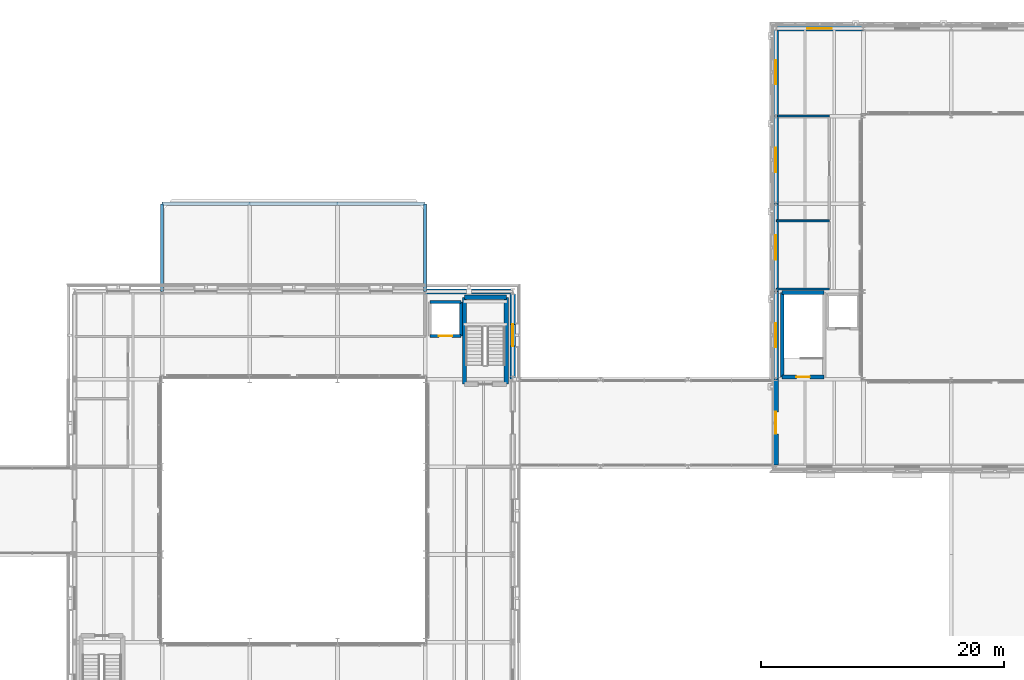
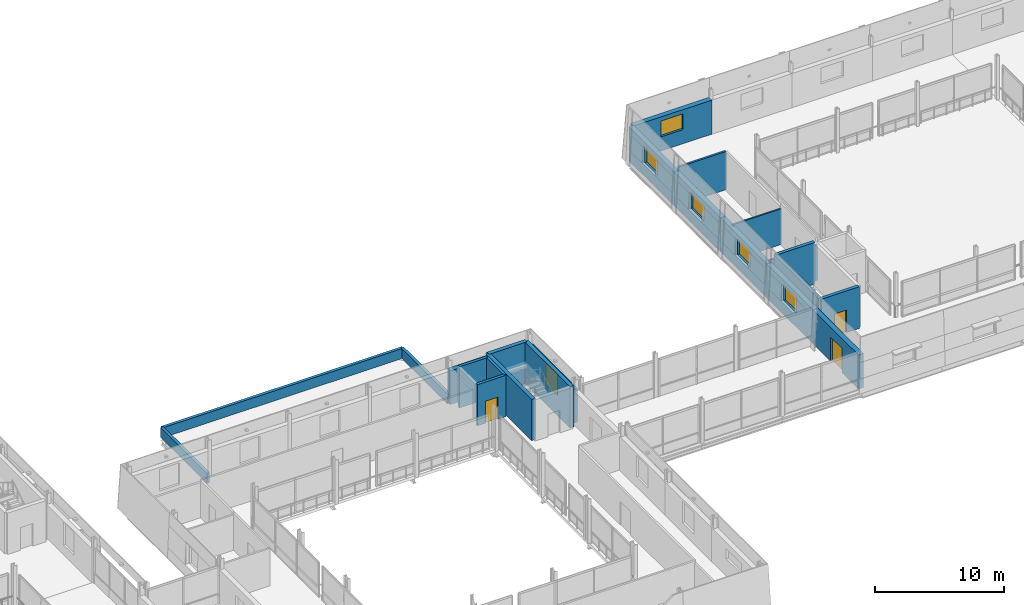
# One storey, part 74 of 115: 23 walls, 6 windows, 3 doors, 9 openings.
"""IFC4 building model written with IfcOpenShell, lengths in metres."""

import ifcopenshell
import ifcopenshell.guid

model = None  # the IFC model being written
_history = None  # IfcOwnerHistory: only IFC2X3 demands one
_inside = {}  # id of a spatial element -> (the spatial element, [elements in it])
_under = {}  # id of a project, library or spatial element -> (it, [spatial elements below it])
_declared = {}  # id of a project -> (the project, [libraries it declares])
_typed = {}  # id of a type object -> (the type object, [elements of that type])
_made_of = {}  # id of a material, layer set ... -> (it, [elements and type objects made of it])


def new_model(schema):
    """Start an empty IFC model of exactly this schema.

    Asked for "IFC4X3", IfcOpenShell would pick the latest addendum, in which some entities
    have other attributes; the version numbers below select the first issue.
    IFC2X3 requires an IfcOwnerHistory on every rooted entity: one is made here for all.
    """
    global model, _history
    if schema == "IFC4X3":
        model = ifcopenshell.file(schema_version=(4, 3, 0, 0))
    else:
        model = ifcopenshell.file(schema=schema)
    _inside.clear()
    _under.clear()
    _declared.clear()
    _typed.clear()
    _made_of.clear()
    _history = None
    if model.schema == "IFC2X3":
        org = make("IfcOrganization", Name="unknown")
        user = make(
            "IfcPersonAndOrganization",
            ThePerson=make("IfcPerson", FamilyName="unknown"),
            TheOrganization=org,
        )
        app = make(
            "IfcApplication",
            ApplicationDeveloper=org,
            Version="unknown",
            ApplicationFullName="unknown",
            ApplicationIdentifier="unknown",
        )
        _history = make(
            "IfcOwnerHistory",
            OwningUser=user,
            OwningApplication=app,
            ChangeAction="ADDED",
            CreationDate=0,
        )
    return model


def make(cls, **values):
    """One entity of the class cls with the attributes given. An attribute that is None is left unset."""
    return model.create_entity(
        cls, **{name: value for name, value in values.items() if value is not None}
    )


def rooted(cls, **values):
    """An entity with a GlobalId (a new one), such as an element, a storey or a relation."""
    return make(cls, GlobalId=ifcopenshell.guid.new(), OwnerHistory=_history, **values)


def si_unit(unit_type, name, prefix=None):
    """IfcSIUnit, for example si_unit("LENGTHUNIT", "METRE", prefix="MILLI")."""
    return make("IfcSIUnit", UnitType=unit_type, Prefix=prefix, Name=name)


def assignment(units):
    """IfcUnitAssignment: the units of a project."""
    return None if units is None else make("IfcUnitAssignment", Units=units)


def point(xyz):
    """IfcCartesianPoint."""
    return None if xyz is None else make("IfcCartesianPoint", Coordinates=xyz)


def direction(xyz):
    """IfcDirection."""
    return None if xyz is None else make("IfcDirection", DirectionRatios=xyz)


def frame(location, z_axis=None, x_axis=None):
    """IfcAxis2Placement3D, a coordinate frame: its origin and axes. An axis left out is left unset."""
    return make(
        "IfcAxis2Placement3D",
        Location=point(location),
        Axis=direction(z_axis),
        RefDirection=direction(x_axis),
    )


def frame_2d(location, x_axis=None):
    """IfcAxis2Placement2D, a coordinate frame in the plane: its origin and x axis."""
    return make(
        "IfcAxis2Placement2D", Location=point(location), RefDirection=direction(x_axis)
    )


def origin():
    """The frame at (0, 0, 0) with its axes left unset."""
    return frame((0.0, 0.0, 0.0))


def place(relative_to, where):
    """IfcLocalPlacement: puts the frame where relative to a parent placement (None: the world)."""
    return make(
        "IfcLocalPlacement", PlacementRelTo=relative_to, RelativePlacement=where
    )


def context(
    kind, dimensions, precision=None, world=None, true_north=None, identifier=None
):
    """IfcGeometricRepresentationContext, for example the 3D "Model" context."""
    return make(
        "IfcGeometricRepresentationContext",
        ContextIdentifier=identifier,
        ContextType=kind,
        CoordinateSpaceDimension=dimensions,
        Precision=precision,
        WorldCoordinateSystem=world,
        TrueNorth=true_north,
    )


def subcontext(parent, identifier, kind, view, scale=None):
    """IfcGeometricRepresentationSubContext, for example "Body" below "Model"."""
    return make(
        "IfcGeometricRepresentationSubContext",
        ContextIdentifier=identifier,
        ContextType=kind,
        ParentContext=parent,
        TargetScale=scale,
        TargetView=view,
    )


def project(units=None, contexts=None):
    """IfcProject with its units and contexts."""
    return rooted(
        "IfcProject",
        Name="project",
        RepresentationContexts=contexts,
        UnitsInContext=assignment(units),
    )


def spatial(cls, under=None, at=None, **own):
    """A site, building, storey or space (cls), placed at a placement, below another one or the project."""
    s = rooted(cls, ObjectPlacement=at, **own)
    if under is not None:
        _under.setdefault(under.id(), (under, []))[1].append(s)
    return s


def profile(cls, at=None, kind="AREA", **sizes):
    """A parametric profile (cls). Its sizes go by their IFC names, for example OverallWidth=200.0."""
    return make(cls, ProfileType=kind, Position=at, **sizes)


def rectangle(**sizes):
    """IfcRectangleProfileDef."""
    return profile("IfcRectangleProfileDef", **sizes)


def extrude(swept, where, along, depth):
    """IfcExtrudedAreaSolid: the profile swept, set in the frame where, extruded along a direction by depth."""
    return make(
        "IfcExtrudedAreaSolid",
        SweptArea=swept,
        Position=where,
        ExtrudedDirection=direction(along),
        Depth=depth,
    )


def shape(context_of_items, identifier, shape_type, items):
    """IfcShapeRepresentation: the items that make up one representation, for example the "Body"."""
    return make(
        "IfcShapeRepresentation",
        ContextOfItems=context_of_items,
        RepresentationIdentifier=identifier,
        RepresentationType=shape_type,
        Items=items,
    )


def material(Name=None, Category=None):
    """IfcMaterial."""
    return make("IfcMaterial", Name=Name, Category=Category)


def layer(
    of_material, thickness, ventilated=None, Name=None, Category=None, Priority=None
):
    """IfcMaterialLayer: one layer of a wall or slab, of a material (None: an air gap)."""
    return make(
        "IfcMaterialLayer",
        Material=of_material,
        LayerThickness=thickness,
        IsVentilated=ventilated,
        Name=Name,
        Category=Category,
        Priority=Priority,
    )


def layer_set(layers, Name=None):
    """IfcMaterialLayerSet."""
    return make("IfcMaterialLayerSet", MaterialLayers=layers, LayerSetName=Name)


def made_of(thing, what):
    """Note that an element or type object is made of a material, layer set ...; save() writes the relation."""
    if what is not None:
        _made_of.setdefault(what.id(), (what, []))[1].append(thing)
    return thing


def type_object(cls, material=None, **own):
    """A type object (cls), such as IfcWallType, which elements share."""
    return made_of(rooted(cls, **own), material)


def element(
    cls,
    number,
    at=None,
    inside=None,
    cuts=None,
    type_object=None,
    material=None,
    context=None,
    identifier="Body",
    shape_type=None,
    held_by="IfcProductDefinitionShape",
    body=None,
    shapes=None,
    **own,
):
    """One element of the class cls, such as IfcWall. Its Tag is "e" and its number.

    at: its placement. inside: the storey or other place that contains it. cuts: it is an
    opening in that element (IfcRelVoidsElement). A single representation is given by context,
    identifier, shape_type and body (its items); several are given by shapes. held_by: the class
    of the entity that holds the representations. save() writes the other relations.
    """
    e = rooted(cls, Tag="e%d" % number, ObjectPlacement=at, **own)
    if body is not None:
        shapes = [shape(context, identifier, shape_type, body)]
    if shapes is not None:
        e.Representation = make(held_by, Representations=shapes)
    if inside is not None:
        _inside.setdefault(inside.id(), (inside, []))[1].append(e)
    if cuts is not None:
        rooted(
            "IfcRelVoidsElement", RelatingBuildingElement=cuts, RelatedOpeningElement=e
        )
    if type_object is not None:
        _typed.setdefault(type_object.id(), (type_object, []))[1].append(e)
    return made_of(e, material)


def fill(opening, filler):
    """IfcRelFillsElement: the door or window that sits in an opening."""
    return rooted(
        "IfcRelFillsElement",
        RelatingOpeningElement=opening,
        RelatedBuildingElement=filler,
    )


def aggregate(whole, parts):
    """IfcRelAggregates: a whole, such as a stair, and the parts it consists of."""
    return rooted("IfcRelAggregates", RelatingObject=whole, RelatedObjects=parts)


def save(model, path):
    """Write the relations noted so far, then the file.

    IfcRelAggregates (storeys below a building ...), IfcRelContainedInSpatialStructure (elements
    in a storey), IfcRelDefinesByType, IfcRelAssociatesMaterial and IfcRelDeclares: one each for
    every whole, place, type object, material and project.
    """
    for whole, parts in _under.values():
        aggregate(whole, parts)
    for where, things in _inside.values():
        rooted(
            "IfcRelContainedInSpatialStructure",
            RelatedElements=things,
            RelatingStructure=where,
        )
    for kind, things in _typed.values():
        rooted("IfcRelDefinesByType", RelatedObjects=things, RelatingType=kind)
    for what, things in _made_of.values():
        rooted("IfcRelAssociatesMaterial", RelatedObjects=things, RelatingMaterial=what)
    for by, libraries in _declared.values():
        rooted("IfcRelDeclares", RelatingContext=by, RelatedDefinitions=libraries)
    model.write(path)


model = new_model("IFC4")

# Units and contexts
model_context = context("Model", 3, precision=1e-05, world=origin(), true_north=direction((0.0, 1.0)))
body_context = subcontext(model_context, "Body", "Model", "MODEL_VIEW")
ifc_project = project(units=[si_unit("LENGTHUNIT", "METRE"), si_unit("AREAUNIT", "SQUARE_METRE"), si_unit("VOLUMEUNIT", "CUBIC_METRE"), si_unit("PLANEANGLEUNIT", "RADIAN"), si_unit("MASSUNIT", "GRAM", prefix="KILO")], contexts=[model_context])

# Site, building, storey
site_placement = place(None, origin())
site = spatial("IfcSite", under=ifc_project, at=site_placement, CompositionType="ELEMENT")
building_placement = place(site_placement, origin())
building = spatial("IfcBuilding", under=site, at=building_placement, Name="Narikvali Park Central Library", CompositionType="ELEMENT")
storey_placement = place(building_placement, frame((0.0, 0.0, 10.199951171875)))
storey = spatial("IfcBuildingStorey", under=building, at=storey_placement, Name="L02", CompositionType="ELEMENT", Elevation=10.199951171875)

# Walls
ifc_material_1 = material(Name="Moisture-Resistant Cement Board on Steel Studs", Category="steel")
ifc_layer_1 = layer(ifc_material_1, 0.14990234375, Name="Moisture-Resistant Cement Board on Steel Studs")
ifc_layer_set_1 = layer_set([ifc_layer_1], Name="Moisture-Resistant Cement Board on Steel Studs")
wall_type_1 = type_object("IfcWallType", Name="Moisture-Resistant WC Partition 150", PredefinedType="PARTITIONING", material=ifc_layer_set_1)
for number, where, z_axis, x_axis, name in (
    (1, (122.455078125, 93.800048828125, 0.0), (0.0, 0.0, 1.0), (1.0, 0.0, 0.0), "Studio Accessible WC L02 Partition S"),
    (2, (122.455078125, 99.39990234375, 0.0), (0.0, 0.0, 1.0), (1.0, 0.0, 0.0), "Studio Accessible WC L02 Partition N"),
):
    element("IfcWall", number, at=place(storey_placement, frame(where, z_axis=z_axis, x_axis=x_axis)), inside=storey, type_object=wall_type_1, Name=name, PredefinedType="PARTITIONING", context=body_context, shape_type="SweptSolid", body=[
        extrude(rectangle(XDim=4.344970703125, YDim=0.14990234375, at=frame_2d((2.17236328125, 0.0))), origin(), (0.0, 0.0, 1.0), 3.39501953125),
    ])
ifc_material_2 = material(Name="Acoustic Gypsum on Steel Studs", Category="steel")
ifc_layer_2 = layer(ifc_material_2, 0.179931640625, Name="Acoustic Gypsum on Steel Studs")
ifc_layer_set_2 = layer_set([ifc_layer_2], Name="Acoustic Gypsum on Steel Studs")
wall_type_2 = type_object("IfcWallType", Name="Reading Room Acoustic Partition 180", PredefinedType="PARTITIONING", material=ifc_layer_set_2)
wall_1_placement = place(storey_placement, frame((122.533935546875, 108.0, 0.0), z_axis=(0.0, 0.0, 1.0), x_axis=(1.0, 0.0, 0.0)))
element("IfcWall", 3, at=wall_1_placement, inside=storey, type_object=wall_type_2, Name="Acoustic Broadcast Control Room Partition N", PredefinedType="PARTITIONING", context=body_context, shape_type="SweptSolid", body=[
    extrude(rectangle(XDim=4.26611328125, YDim=0.179931640625, at=frame_2d((2.133056640625, 0.0))), origin(), (0.0, 0.0, 1.0), 3.635009765625),
])
ifc_material_3 = material(Name="Concrete C40/50", Category="concrete")
ifc_layer_3 = layer(ifc_material_3, 0.35009765625, Name="Concrete C40/50")
ifc_layer_set_3 = layer_set([ifc_layer_3], Name="Concrete C40/50")
wall_type_3 = type_object("IfcWallType", Name="Reinforced Concrete Core Shear Wall 350", PredefinedType="SHEAR", material=ifc_layer_set_3)
wall_2_placement = place(storey_placement, frame((100.27001953125, 85.97998046875, 0.0), z_axis=(0.0, 0.0, 1.0), x_axis=(0.0, 1.0, 0.0)))
element("IfcWall", 4, at=wall_2_placement, inside=storey, type_object=wall_type_3, Name="C1B L02 Stair Core Shear Wall E", PredefinedType="SHEAR", context=body_context, shape_type="SweptSolid", body=[
    extrude(rectangle(XDim=7.14013671875, YDim=0.35009765625, at=frame_2d((3.570068359375, 0.0))), origin(), (0.0, 0.0, 1.0), 3.920166015625),
])
wall_3_placement = place(storey_placement, frame((100.27001953125, 93.1201171875, 0.0), z_axis=(0.0, 0.0, 1.0), x_axis=(-1.0, 0.0, 0.0)))
element("IfcWall", 5, at=wall_3_placement, inside=storey, type_object=wall_type_3, Name="C1B L02 Stair Core Shear Wall N", PredefinedType="SHEAR", context=body_context, shape_type="SweptSolid", body=[
    extrude(rectangle(XDim=3.43994140625, YDim=0.35009765625, at=frame_2d((1.719970703125, 0.0))), origin(), (0.0, 0.0, 1.0), 3.920166015625),
])
wall_4_placement = place(storey_placement, frame((96.830078125, 93.1201171875, 0.0), z_axis=(0.0, 0.0, 1.0), x_axis=(0.0, -1.0, 0.0)))
element("IfcWall", 6, at=wall_4_placement, inside=storey, type_object=wall_type_3, Name="C1B L02 Stair Core Shear Wall W", PredefinedType="SHEAR", context=body_context, shape_type="SweptSolid", body=[
    extrude(rectangle(XDim=7.14013671875, YDim=0.35009765625, at=frame_2d((3.570068359375, 0.0))), origin(), (0.0, 0.0, 1.0), 3.920166015625),
])

# Wall, opening, door
ifc_layer_4 = layer(ifc_material_3, 0.25, Name="Concrete C40/50")
ifc_layer_set_4 = layer_set([ifc_layer_4], Name="Concrete C40/50")
wall_type_4 = type_object("IfcWallType", Name="Reinforced Concrete Lift Shaft Wall 250", PredefinedType="SHEAR", material=ifc_layer_set_4)
wall_5_placement = place(storey_placement, frame((94.0, 89.949951171875, 0.0), z_axis=(0.0, 0.0, 1.0), x_axis=(1.0, 0.0, 0.0)))
wall_5 = element("IfcWall", 7, at=wall_5_placement, inside=storey, type_object=wall_type_4, Name="L-02 L02 Lift Shaft Wall S", PredefinedType="SHEAR", context=body_context, shape_type="SweptSolid", body=[
    extrude(rectangle(XDim=2.550048828125, YDim=0.25, at=frame_2d((1.27490234375, 0.0))), origin(), (0.0, 0.0, 1.0), 3.920166015625),
])
opening_1_placement = place(wall_5_placement, frame((0.72509765625, 0.0, 0.0)))
opening_1 = element("IfcOpeningElement", 8, at=opening_1_placement, cuts=wall_5, Name="Opening LD-009", PredefinedType="OPENING", context=body_context, shape_type="SweptSolid", body=[
    extrude(rectangle(XDim=1.10009765625, YDim=2.10009765625, at=frame_2d((0.550048828125, 1.050048828125))), frame((0.0, 0.136962890625, 0.0), z_axis=(0.0, -1.0, 0.0), x_axis=(1.0, 0.0, 0.0)), (0.0, 0.0, 1.0), 0.27392578125),
])
ifc_material_4 = material(Name="Brushed Stainless Steel S355", Category="steel")
door_type_1 = type_object("IfcDoorType", Name="Passenger Lift Sliding Landing Door 1100x2100", OperationType="SLIDING_TO_LEFT", PredefinedType="DOOR", material=ifc_material_4)
door_1_placement = place(opening_1_placement, origin())
door_1 = element("IfcDoor", 9, at=door_1_placement, inside=storey, type_object=door_type_1, Name="L-02 L02 Lift Landing Sliding Door LD-009", OperationType="SLIDING_TO_LEFT", OverallHeight=2.10009765625, OverallWidth=1.10009765625, PredefinedType="DOOR", context=body_context, shape_type="SweptSolid", body=[
    extrude(rectangle(XDim=1.10009765625, YDim=2.10009765625, at=frame_2d((0.550048828125, 1.050048828125))), frame((0.0, 0.02490234375, 0.0), z_axis=(0.0, -1.0, 0.0), x_axis=(1.0, 0.0, 0.0)), (0.0, 0.0, 1.0), 0.050048828125),
])
fill(opening_1, door_1)

# Walls
wall_6_placement = place(storey_placement, frame((96.550048828125, 89.949951171875, 0.0), z_axis=(0.0, 0.0, 1.0), x_axis=(0.0, 1.0, 0.0)))
element("IfcWall", 10, at=wall_6_placement, inside=storey, type_object=wall_type_4, Name="L-02 L02 Lift Shaft Wall E", PredefinedType="SHEAR", context=body_context, shape_type="SweptSolid", body=[
    extrude(rectangle(XDim=2.800048828125, YDim=0.25, at=frame_2d((1.39990234375, 0.0))), origin(), (0.0, 0.0, 1.0), 3.920166015625),
])
wall_7_placement = place(storey_placement, frame((96.550048828125, 92.75, 0.0), z_axis=(0.0, 0.0, 1.0), x_axis=(-1.0, 0.0, 0.0)))
element("IfcWall", 11, at=wall_7_placement, inside=storey, type_object=wall_type_4, Name="L-02 L02 Lift Shaft Wall N", PredefinedType="SHEAR", context=body_context, shape_type="SweptSolid", body=[
    extrude(rectangle(XDim=2.550048828125, YDim=0.25, at=frame_2d((1.27490234375, 0.0))), origin(), (0.0, 0.0, 1.0), 3.920166015625),
])

# Wall, opening, door
ifc_layer_5 = layer(ifc_material_3, 0.300048828125, Name="Concrete C40/50")
ifc_layer_set_5 = layer_set([ifc_layer_5], Name="Concrete C40/50")
wall_type_5 = type_object("IfcWallType", Name="Reinforced Concrete Shear Wall 300", PredefinedType="SHEAR", material=ifc_layer_set_5)
wall_8_placement = place(storey_placement, frame((122.929931640625, 86.580078125, 0.0), z_axis=(0.0, 0.0, 1.0), x_axis=(1.0, 0.0, 0.0)))
wall_8 = element("IfcWall", 12, at=wall_8_placement, inside=storey, type_object=wall_type_5, Name="C3A L02 Stair Core Shear Wall S", PredefinedType="SHEAR", context=body_context, shape_type="SweptSolid", body=[
    extrude(rectangle(XDim=3.440185546875, YDim=0.300048828125, at=frame_2d((1.72021484375, 0.0))), origin(), (0.0, 0.0, 1.0), 3.9599609375),
])
opening_2_placement = place(wall_8_placement, frame((1.169921875, 0.0, 0.0)))
opening_2 = element("IfcOpeningElement", 13, at=opening_2_placement, cuts=wall_8, Name="Opening SD-019", PredefinedType="OPENING", context=body_context, shape_type="SweptSolid", body=[
    extrude(rectangle(XDim=1.10009765625, YDim=2.14990234375, at=frame_2d((0.550048828125, 1.074951171875))), frame((0.0, 0.162109375, 0.0), z_axis=(0.0, -1.0, 0.0), x_axis=(1.0, 0.0, 0.0)), (0.0, 0.0, 1.0), 0.323974609375),
])
ifc_material_5 = material(Name="Powder-Coated Steel S275 Fire Leaf", Category="steel")
door_type_2 = type_object("IfcDoorType", Name="Stair Core Smoke-Control Fire Door 1100x2150", OperationType="SINGLE_SWING_LEFT", PredefinedType="DOOR", material=ifc_material_5)
door_2_placement = place(opening_2_placement, frame((1.10009765625, 0.0, 0.0), z_axis=(0.0, 0.0, 1.0), x_axis=(-1.0, 0.0, 0.0)))
door_2 = element("IfcDoor", 14, at=door_2_placement, inside=storey, type_object=door_type_2, Name="ST-05 L02 Stair Exit Door SD-019", OperationType="SINGLE_SWING_LEFT", OverallHeight=2.14990234375, OverallWidth=1.10009765625, PredefinedType="DOOR", context=body_context, shape_type="SweptSolid", body=[
    extrude(rectangle(XDim=1.10009765625, YDim=2.14990234375, at=frame_2d((0.550048828125, 1.074951171875))), frame((0.0, 0.02490234375, 0.0), z_axis=(0.0, -1.0, 0.0), x_axis=(1.0, 0.0, 0.0)), (0.0, 0.0, 1.0), 0.050048828125),
])
fill(opening_2, door_2)

# Walls
wall_9_placement = place(storey_placement, frame((126.3701171875, 93.52001953125, 0.0), z_axis=(0.0, 0.0, 1.0), x_axis=(-1.0, 0.0, 0.0)))
element("IfcWall", 15, at=wall_9_placement, inside=storey, type_object=wall_type_5, Name="C3A L02 Stair Core Shear Wall N", PredefinedType="SHEAR", context=body_context, shape_type="SweptSolid", body=[
    extrude(rectangle(XDim=3.440185546875, YDim=0.300048828125, at=frame_2d((1.72021484375, 0.0))), origin(), (0.0, 0.0, 1.0), 3.9599609375),
])
wall_10_placement = place(storey_placement, frame((122.929931640625, 93.52001953125, 0.0), z_axis=(0.0, 0.0, 1.0), x_axis=(0.0, -1.0, 0.0)))
element("IfcWall", 16, at=wall_10_placement, inside=storey, type_object=wall_type_5, Name="C3A L02 Stair Core Shear Wall W", PredefinedType="SHEAR", context=body_context, shape_type="SweptSolid", body=[
    extrude(rectangle(XDim=6.93994140625, YDim=0.300048828125, at=frame_2d((3.469970703125, 0.0))), origin(), (0.0, 0.0, 1.0), 3.9599609375),
])
ifc_material_6 = material(Name="White Honed Limestone over Concrete C35/45", Category="masonry")
ifc_layer_6 = layer(ifc_material_6, 0.260009765625, Name="White Honed Limestone over Concrete C35/45")
ifc_layer_set_6 = layer_set([ifc_layer_6], Name="White Honed Limestone over Concrete C35/45")
wall_type_6 = type_object("IfcWallType", Name="Terrace Garden Parapet Wall 260", PredefinedType="PARAPET", material=ifc_layer_set_6)
wall_11_placement = place(storey_placement, frame((93.60009765625, 93.60009765625, 0.0), z_axis=(0.0, 0.0, 1.0), x_axis=(0.0, 1.0, 0.0)))
element("IfcWall", 17, at=wall_11_placement, inside=storey, type_object=wall_type_6, Name="Entrance Arch Roof Parapet E", PredefinedType="PARAPET", context=body_context, shape_type="SweptSolid", body=[
    extrude(rectangle(XDim=7.199951171875, YDim=0.260009765625, at=frame_2d((3.60009765625, 0.0))), origin(), (0.0, 0.0, 1.0), 0.949951171875),
])
wall_12_placement = place(storey_placement, frame((93.60009765625, 100.800048828125, 0.0), z_axis=(0.0, 0.0, 1.0), x_axis=(-1.0, 0.0, 0.0)))
element("IfcWall", 18, at=wall_12_placement, inside=storey, type_object=wall_type_6, Name="Entrance Arch Roof Parapet N", PredefinedType="PARAPET", context=body_context, shape_type="SweptSolid", body=[
    extrude(rectangle(XDim=21.60009765625, YDim=0.260009765625, at=frame_2d((10.800048828125, 0.0))), origin(), (0.0, 0.0, 1.0), 0.949951171875),
])
wall_13_placement = place(storey_placement, frame((72.0, 100.800048828125, 0.0), z_axis=(0.0, 0.0, 1.0), x_axis=(0.0, -1.0, 0.0)))
element("IfcWall", 19, at=wall_13_placement, inside=storey, type_object=wall_type_6, Name="Entrance Arch Roof Parapet W", PredefinedType="PARAPET", context=body_context, shape_type="SweptSolid", body=[
    extrude(rectangle(XDim=7.199951171875, YDim=0.260009765625, at=frame_2d((3.60009765625, 0.0))), origin(), (0.0, 0.0, 1.0), 0.949951171875),
])

# Wall, opening, window
ifc_layer_7 = layer(ifc_material_6, 0.43994140625, Name="White Honed Limestone over Concrete C35/45")
ifc_layer_set_7 = layer_set([ifc_layer_7], Name="White Honed Limestone over Concrete C35/45")
wall_type_7 = type_object("IfcWallType", Name="White Limestone Battered Tier2 Wall 440", PredefinedType="SOLIDWALL", material=ifc_layer_set_7)
wall_14_placement = place(storey_placement, frame((100.800048828125, 86.39990234375, 0.0), z_axis=(0.0, 0.0, 1.0), x_axis=(0.0, 1.0, 0.0)))
wall_14 = element("IfcWall", 20, at=wall_14_placement, inside=storey, type_object=wall_type_7, Name="V1 L02 E Exterior Limestone Wall B05", PredefinedType="SOLIDWALL", context=body_context, shape_type="SweptSolid", body=[
    extrude(rectangle(XDim=6.97119140625, YDim=0.43994140625, at=frame_2d((3.485595703125, 0.0))), origin(), (0.0, 0.0, 1.0), 3.199951171875),
])
opening_3_placement = place(wall_14_placement, frame((2.699951171875, 0.0, 0.949951171875)))
opening_3 = element("IfcOpeningElement", 21, at=opening_3_placement, cuts=wall_14, Name="Opening WIN-0029", PredefinedType="OPENING", context=body_context, shape_type="SweptSolid", body=[
    extrude(rectangle(XDim=1.800048828125, YDim=2.050048828125, at=frame_2d((0.89990234375, 1.02490234375))), frame((0.0, 0.23193359375, 0.0), z_axis=(0.0, -1.0, 0.0), x_axis=(1.0, 0.0, 0.0)), (0.0, 0.0, 1.0), 0.4638671875),
])
ifc_material_7 = material(Name="Anodised Bronze Aluminium and Low-E Triple Glazing", Category="aluminium")
window_type_1 = type_object("IfcWindowType", Name="Rotunda Mezzanine Deep-Set Window 1800x2050", PartitioningType="DOUBLE_PANEL_VERTICAL", PredefinedType="WINDOW", material=ifc_material_7)
window_1_placement = place(opening_3_placement, origin())
window_1 = element("IfcWindow", 22, at=window_1_placement, inside=storey, type_object=window_type_1, Name="V1 L02 E Deep-Reveal Window WIN-0029", OverallHeight=2.050048828125, OverallWidth=1.800048828125, PartitioningType="SINGLE_PANEL", PredefinedType="WINDOW", context=body_context, shape_type="SweptSolid", body=[
    extrude(rectangle(XDim=1.800048828125, YDim=2.050048828125, at=frame_2d((0.89990234375, 1.02490234375))), frame((0.0, 0.030029296875, 0.0), z_axis=(0.0, -1.0, 0.0), x_axis=(1.0, 0.0, 0.0)), (0.0, 0.0, 1.0), 0.06005859375),
])
fill(opening_3, window_1)

# Wall
wall_15_placement = place(storey_placement, frame((100.64599609375, 93.60009765625, 0.0), z_axis=(0.0, 0.0, 1.0), x_axis=(-1.0, 0.0, 0.0)))
element("IfcWall", 23, at=wall_15_placement, inside=storey, type_object=wall_type_7, Name="V1 L02 N Exterior Limestone Wall B01", PredefinedType="SOLIDWALL", context=body_context, shape_type="SweptSolid", body=[
    extrude(rectangle(XDim=7.0458984375, YDim=0.43994140625, at=frame_2d((3.52294921875, 0.0))), origin(), (0.0, 0.0, 1.0), 3.199951171875),
])

# Wall, opening, window
wall_16_placement = place(storey_placement, frame((129.60009765625, 115.199951171875, 0.0), z_axis=(0.0, 0.0, 1.0), x_axis=(-1.0, 0.0, 0.0)))
wall_16 = element("IfcWall", 24, at=wall_16_placement, inside=storey, type_object=wall_type_7, Name="V3 L02 N Exterior Limestone Wall B06", PredefinedType="SOLIDWALL", context=body_context, shape_type="SweptSolid", body=[
    extrude(rectangle(XDim=7.066162109375, YDim=0.43994140625, at=frame_2d((3.533203125, 0.0))), origin(), (0.0, 0.0, 1.0), 3.239990234375),
])
opening_4_placement = place(wall_16_placement, frame((2.60009765625, 0.0, 1.35009765625)))
opening_4 = element("IfcOpeningElement", 25, at=opening_4_placement, cuts=wall_16, Name="Opening WIN-0122", PredefinedType="OPENING", context=body_context, shape_type="SweptSolid", body=[
    extrude(rectangle(XDim=2.0, YDim=1.5, at=frame_2d((1.0, 0.75))), frame((0.0, 0.23193359375, 0.0), z_axis=(0.0, -1.0, 0.0), x_axis=(1.0, 0.0, 0.0)), (0.0, 0.0, 1.0), 0.4638671875),
])
window_type_2 = type_object("IfcWindowType", Name="Auditorium Acoustic Clerestory Window 2000x1500", PartitioningType="DOUBLE_PANEL_HORIZONTAL", PredefinedType="WINDOW", material=ifc_material_7)
window_2_placement = place(opening_4_placement, origin())
window_2 = element("IfcWindow", 26, at=window_2_placement, inside=storey, type_object=window_type_2, Name="V3 L02 N Deep-Reveal Window WIN-0122", OverallHeight=1.5, OverallWidth=2.0, PartitioningType="SINGLE_PANEL", PredefinedType="WINDOW", context=body_context, shape_type="SweptSolid", body=[
    extrude(rectangle(XDim=2.0, YDim=1.5, at=frame_2d((1.0, 0.75))), frame((0.0, 0.030029296875, 0.0), z_axis=(0.0, -1.0, 0.0), x_axis=(1.0, 0.0, 0.0)), (0.0, 0.0, 1.0), 0.06005859375),
])
fill(opening_4, window_2)

wall_17_placement = place(storey_placement, frame((122.39990234375, 115.06591796875, 0.0), z_axis=(0.0, 0.0, 1.0), x_axis=(0.0, -1.0, 0.0)))
wall_17 = element("IfcWall", 27, at=wall_17_placement, inside=storey, type_object=wall_type_7, Name="V3 L02 W Exterior Limestone Wall B01", PredefinedType="SOLIDWALL", context=body_context, shape_type="SweptSolid", body=[
    extrude(rectangle(XDim=7.06591796875, YDim=0.43994140625, at=frame_2d((3.532958984375, 0.0))), origin(), (0.0, 0.0, 1.0), 3.239990234375),
])
opening_5_placement = place(wall_17_placement, frame((2.466064453125, 0.0, 1.35009765625)))
opening_5 = element("IfcOpeningElement", 28, at=opening_5_placement, cuts=wall_17, Name="Opening WIN-0123", PredefinedType="OPENING", context=body_context, shape_type="SweptSolid", body=[
    extrude(rectangle(XDim=2.0, YDim=1.5, at=frame_2d((1.0, 0.75))), frame((0.0, 0.23193359375, 0.0), z_axis=(0.0, -1.0, 0.0), x_axis=(1.0, 0.0, 0.0)), (0.0, 0.0, 1.0), 0.4638671875),
])
window_3_placement = place(opening_5_placement, origin())
window_3 = element("IfcWindow", 29, at=window_3_placement, inside=storey, type_object=window_type_2, Name="V3 L02 W Deep-Reveal Window WIN-0123", OverallHeight=1.5, OverallWidth=2.0, PartitioningType="SINGLE_PANEL", PredefinedType="WINDOW", context=body_context, shape_type="SweptSolid", body=[
    extrude(rectangle(XDim=2.0, YDim=1.5, at=frame_2d((1.0, 0.75))), frame((0.0, 0.030029296875, 0.0), z_axis=(0.0, -1.0, 0.0), x_axis=(1.0, 0.0, 0.0)), (0.0, 0.0, 1.0), 0.06005859375),
])
fill(opening_5, window_3)

wall_18_placement = place(storey_placement, frame((122.39990234375, 108.0, 0.0), z_axis=(0.0, 0.0, 1.0), x_axis=(0.0, -1.0, 0.0)))
wall_18 = element("IfcWall", 30, at=wall_18_placement, inside=storey, type_object=wall_type_7, Name="V3 L02 W Exterior Limestone Wall B02", PredefinedType="SOLIDWALL", context=body_context, shape_type="SweptSolid", body=[
    extrude(rectangle(XDim=7.199951171875, YDim=0.43994140625, at=frame_2d((3.60009765625, 0.0))), origin(), (0.0, 0.0, 1.0), 3.239990234375),
])
opening_6_placement = place(wall_18_placement, frame((2.60009765625, 0.0, 1.35009765625)))
opening_6 = element("IfcOpeningElement", 31, at=opening_6_placement, cuts=wall_18, Name="Opening WIN-0124", PredefinedType="OPENING", context=body_context, shape_type="SweptSolid", body=[
    extrude(rectangle(XDim=2.0, YDim=1.5, at=frame_2d((1.0, 0.75))), frame((0.0, 0.23193359375, 0.0), z_axis=(0.0, -1.0, 0.0), x_axis=(1.0, 0.0, 0.0)), (0.0, 0.0, 1.0), 0.4638671875),
])
window_4_placement = place(opening_6_placement, origin())
window_4 = element("IfcWindow", 32, at=window_4_placement, inside=storey, type_object=window_type_2, Name="V3 L02 W Deep-Reveal Window WIN-0124", OverallHeight=1.5, OverallWidth=2.0, PartitioningType="SINGLE_PANEL", PredefinedType="WINDOW", context=body_context, shape_type="SweptSolid", body=[
    extrude(rectangle(XDim=2.0, YDim=1.5, at=frame_2d((1.0, 0.75))), frame((0.0, 0.030029296875, 0.0), z_axis=(0.0, -1.0, 0.0), x_axis=(1.0, 0.0, 0.0)), (0.0, 0.0, 1.0), 0.06005859375),
])
fill(opening_6, window_4)

wall_19_placement = place(storey_placement, frame((122.39990234375, 100.800048828125, 0.0), z_axis=(0.0, 0.0, 1.0), x_axis=(0.0, -1.0, 0.0)))
wall_19 = element("IfcWall", 33, at=wall_19_placement, inside=storey, type_object=wall_type_7, Name="V3 L02 W Exterior Limestone Wall B03", PredefinedType="SOLIDWALL", context=body_context, shape_type="SweptSolid", body=[
    extrude(rectangle(XDim=7.199951171875, YDim=0.43994140625, at=frame_2d((3.60009765625, 0.0))), origin(), (0.0, 0.0, 1.0), 3.239990234375),
])
opening_7_placement = place(wall_19_placement, frame((2.60009765625, 0.0, 1.35009765625)))
opening_7 = element("IfcOpeningElement", 34, at=opening_7_placement, cuts=wall_19, Name="Opening WIN-0125", PredefinedType="OPENING", context=body_context, shape_type="SweptSolid", body=[
    extrude(rectangle(XDim=2.0, YDim=1.5, at=frame_2d((1.0, 0.75))), frame((0.0, 0.23193359375, 0.0), z_axis=(0.0, -1.0, 0.0), x_axis=(1.0, 0.0, 0.0)), (0.0, 0.0, 1.0), 0.4638671875),
])
window_5_placement = place(opening_7_placement, origin())
window_5 = element("IfcWindow", 35, at=window_5_placement, inside=storey, type_object=window_type_2, Name="V3 L02 W Deep-Reveal Window WIN-0125", OverallHeight=1.5, OverallWidth=2.0, PartitioningType="SINGLE_PANEL", PredefinedType="WINDOW", context=body_context, shape_type="SweptSolid", body=[
    extrude(rectangle(XDim=2.0, YDim=1.5, at=frame_2d((1.0, 0.75))), frame((0.0, 0.030029296875, 0.0), z_axis=(0.0, -1.0, 0.0), x_axis=(1.0, 0.0, 0.0)), (0.0, 0.0, 1.0), 0.06005859375),
])
fill(opening_7, window_5)

wall_20_placement = place(storey_placement, frame((122.39990234375, 93.60009765625, 0.0), z_axis=(0.0, 0.0, 1.0), x_axis=(0.0, -1.0, 0.0)))
wall_20 = element("IfcWall", 36, at=wall_20_placement, inside=storey, type_object=wall_type_7, Name="V3 L02 W Exterior Limestone Wall B04", PredefinedType="SOLIDWALL", context=body_context, shape_type="SweptSolid", body=[
    extrude(rectangle(XDim=7.2001953125, YDim=0.43994140625, at=frame_2d((3.60009765625, 0.0))), origin(), (0.0, 0.0, 1.0), 3.239990234375),
])
opening_8_placement = place(wall_20_placement, frame((2.60009765625, 0.0, 1.35009765625)))
opening_8 = element("IfcOpeningElement", 37, at=opening_8_placement, cuts=wall_20, Name="Opening WIN-0126", PredefinedType="OPENING", context=body_context, shape_type="SweptSolid", body=[
    extrude(rectangle(XDim=2.0, YDim=1.5, at=frame_2d((1.0, 0.75))), frame((0.0, 0.23193359375, 0.0), z_axis=(0.0, -1.0, 0.0), x_axis=(1.0, 0.0, 0.0)), (0.0, 0.0, 1.0), 0.4638671875),
])
window_6_placement = place(opening_8_placement, origin())
window_6 = element("IfcWindow", 38, at=window_6_placement, inside=storey, type_object=window_type_2, Name="V3 L02 W Deep-Reveal Window WIN-0126", OverallHeight=1.5, OverallWidth=2.0, PartitioningType="SINGLE_PANEL", PredefinedType="WINDOW", context=body_context, shape_type="SweptSolid", body=[
    extrude(rectangle(XDim=2.0, YDim=1.5, at=frame_2d((1.0, 0.75))), frame((0.0, 0.030029296875, 0.0), z_axis=(0.0, -1.0, 0.0), x_axis=(1.0, 0.0, 0.0)), (0.0, 0.0, 1.0), 0.06005859375),
])
fill(opening_8, window_6)

# Wall, opening, door
wall_21_placement = place(storey_placement, frame((122.39990234375, 86.39990234375, 0.0), z_axis=(0.0, 0.0, 1.0), x_axis=(0.0, -1.0, 0.0)))
wall_21 = element("IfcWall", 39, at=wall_21_placement, inside=storey, type_object=wall_type_7, Name="V3 L02 W Exterior Limestone Wall B05", PredefinedType="SOLIDWALL", context=body_context, shape_type="SweptSolid", body=[
    extrude(rectangle(XDim=7.06591796875, YDim=0.43994140625, at=frame_2d((3.532958984375, 0.0))), origin(), (0.0, 0.0, 1.0), 3.239990234375),
])
opening_9_placement = place(wall_21_placement, frame((2.699951171875, 0.0, 0.0)))
opening_9 = element("IfcOpeningElement", 40, at=opening_9_placement, cuts=wall_21, Name="Opening BD-027", PredefinedType="OPENING", context=body_context, shape_type="SweptSolid", body=[
    extrude(rectangle(XDim=1.800048828125, YDim=2.300048828125, at=frame_2d((0.89990234375, 1.14990234375))), frame((0.0, 0.23193359375, 0.0), z_axis=(0.0, -1.0, 0.0), x_axis=(1.0, 0.0, 0.0)), (0.0, 0.0, 1.0), 0.4638671875),
])
ifc_material_8 = material(Name="Fire-Rated Glazing in Steel S275 Frame", Category="steel")
door_type_3 = type_object("IfcDoorType", Name="Glazed Double Corridor Bridge Fire Door 1800x2300", OperationType="DOUBLE_DOOR_SINGLE_SWING", PredefinedType="DOOR", material=ifc_material_8)
door_3_placement = place(opening_9_placement, origin())
door_3 = element("IfcDoor", 41, at=door_3_placement, inside=storey, type_object=door_type_3, Name="V3 L02 Covered Bridge Fire Door BD-027", OperationType="DOUBLE_DOOR_SINGLE_SWING", OverallHeight=2.300048828125, OverallWidth=1.800048828125, PredefinedType="DOOR", context=body_context, shape_type="SweptSolid", body=[
    extrude(rectangle(XDim=1.800048828125, YDim=2.300048828125, at=frame_2d((0.89990234375, 1.14990234375))), frame((0.0, 0.02490234375, 0.0), z_axis=(0.0, -1.0, 0.0), x_axis=(1.0, 0.0, 0.0)), (0.0, 0.0, 1.0), 0.050048828125),
])
fill(opening_9, door_3)

save(model, "model.ifc")
